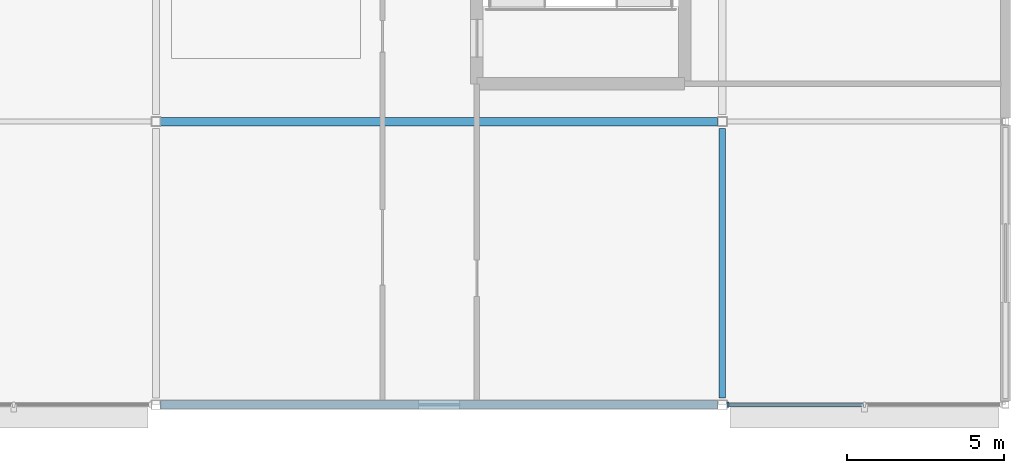
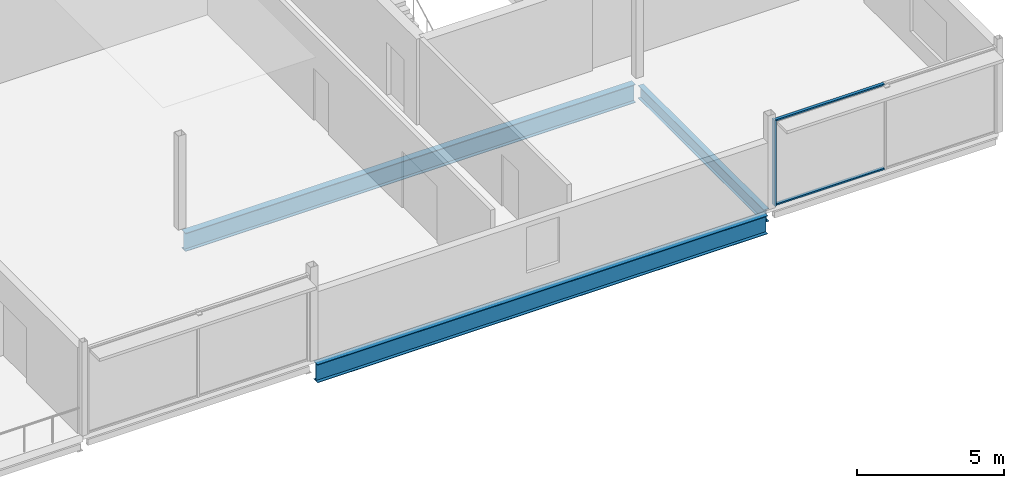
# One storey, part 21 of 55: 3 beams, 3 members, 1 element without a shape of its own.
"""IFC4 building model written with IfcOpenShell, lengths in metres."""

from ifc_helpers import new_model, si_unit, direction, frame, origin, origin_2d, place, context, subcontext, project, spatial, rectangle, i_section, extrude, material, layer, layer_set, material_profile, profile_set, type_object, element, aggregate, save


model = new_model("IFC4")

# Units and contexts
model_context = context("Model", 3, precision=1e-05, world=origin(), true_north=direction((0.0, 1.0)))
body_context = subcontext(model_context, "Body", "Model", "MODEL_VIEW")
ifc_project = project(units=[si_unit("LENGTHUNIT", "METRE"), si_unit("AREAUNIT", "SQUARE_METRE"), si_unit("VOLUMEUNIT", "CUBIC_METRE"), si_unit("PLANEANGLEUNIT", "RADIAN"), si_unit("MASSUNIT", "GRAM", prefix="KILO")], contexts=[model_context])

# Site, building, storey
site_placement = place(None, origin())
site = spatial("IfcSite", under=ifc_project, at=site_placement, CompositionType="ELEMENT")
building_placement = place(site_placement, origin())
building = spatial("IfcBuilding", under=site, at=building_placement, Name="Kisiwana Market Hall", CompositionType="ELEMENT")
storey_placement = place(building_placement, frame((0.0, 0.0, 37.800048828125)))
storey = spatial("IfcBuildingStorey", under=building, at=storey_placement, Name="L08", CompositionType="ELEMENT", Elevation=37.800048828125)

# Beams
ifc_material_1 = material(Name="Steel S355", Category="steel")
ifc_material_profile_1 = material_profile(ifc_material_1, i_section(OverallWidth=0.209228515625, OverallDepth=0.533203125, WebThickness=0.010009765625, FlangeThickness=0.015625, at=origin_2d()), Name="UB 533x210x92")
ifc_profile_set_1 = profile_set([ifc_material_profile_1], Name="Steel S355")
beam_type_1 = type_object("IfcBeamType", Name="BM-GIRD-UB533", PredefinedType="BEAM", material=ifc_profile_set_1)
beam_placement = place(storey_placement, frame((189.0, 9.220947265625, -0.51171875), z_axis=(0.0, 1.0, 0.0), x_axis=(-1.0, 0.0, 0.0)))
element("IfcBeam", 1, at=beam_placement, inside=storey, type_object=beam_type_1, Name="Primary girder B-2104", PredefinedType="BEAM", context=body_context, shape_type="SweptSolid", body=[
    extrude(i_section(OverallWidth=0.209228515625, OverallDepth=0.533203125, WebThickness=0.010009765625, FlangeThickness=0.015625, at=origin_2d()), origin(), (0.0, 0.0, 1.0), 8.55810546875),
])
ifc_material_2 = material(Name="Steel S355", Category="steel")
ifc_material_profile_2 = material_profile(ifc_material_2, i_section(OverallWidth=0.2666015625, OverallDepth=0.76220703125, WebThickness=0.014404296875, FlangeThickness=0.021484375, at=origin_2d()), Name="UB 762x267x173")
ifc_profile_set_2 = profile_set([ifc_material_profile_2], Name="Steel S355")
beam_type_2 = type_object("IfcBeamType", Name="BM-GIRD-UB762", PredefinedType="BEAM", material=ifc_profile_set_2)
for number, where, z_axis, x_axis, name in (
    (2, (171.14599609375, 9.0, -0.626220703125), (1.0, 0.0, 0.0), (0.0, 1.0, 0.0), "Floor beam B-2148"),
    (3, (171.14599609375, 18.0, -0.626220703125), (1.0, 0.0, 0.0), (0.0, 1.0, 0.0), "Floor beam B-2156"),
):
    element("IfcBeam", number, at=place(storey_placement, frame(where, z_axis=z_axis, x_axis=x_axis)), inside=storey, type_object=beam_type_2, Name=name, PredefinedType="BEAM", context=body_context, shape_type="SweptSolid", body=[
        extrude(i_section(OverallWidth=0.2666015625, OverallDepth=0.76220703125, WebThickness=0.014404296875, FlangeThickness=0.021484375, at=origin_2d()), origin(), (0.0, 0.0, 1.0), 17.7080078125),
    ])

# Curtain wall, members
ifc_material_3 = material(Name="Double-glazed solar-control low-E IGU", Category="glass")
ifc_layer = layer(ifc_material_3, 0.159912109375)
ifc_layer_set = layer_set([ifc_layer], Name="CW-ZNB-EW-8000")
curtain_wall_type = type_object("IfcCurtainWallType", Name="CW-ZNB-EW-8000", PredefinedType="USERDEFINED", material=ifc_layer_set)
curtain_wall_placement = place(storey_placement, origin())
curtain_wall = element("IfcCurtainWall", 4, at=curtain_wall_placement, inside=storey, type_object=curtain_wall_type, Name="Unitised curtain wall CW-239 (L08)", ObjectType="UNITISED CURTAIN WALL", PredefinedType="USERDEFINED")
ifc_material_4 = material(Name="Aluminium alloy 6063-T6", Category="aluminium")
ifc_material_profile_3 = material_profile(ifc_material_4, rectangle(XDim=0.070068359375, YDim=0.179931640625, at=origin_2d()), Name="ALU MULLION 70x180")
ifc_profile_set_3 = profile_set([ifc_material_profile_3], Name="Aluminium alloy 6063-T6")
member_type_1 = type_object("IfcMemberType", Name="CW-MULL-70x180", PredefinedType="MULLION", material=ifc_profile_set_3)
member_1_placement = place(storey_placement, frame((189.18505859375, 9.0, 0.0), z_axis=(0.0, 0.0, 1.0), x_axis=(1.0, 0.0, 0.0)))
member_1 = element("IfcMember", 5, at=member_1_placement, type_object=member_type_1, Name="CW-239 mullion 1", PredefinedType="MULLION", context=body_context, shape_type="SweptSolid", body=[
    extrude(rectangle(XDim=0.070068359375, YDim=0.179931640625, at=origin_2d()), origin(), (0.0, 0.0, 1.0), 3.56494140625),
])
ifc_material_5 = material(Name="Aluminium alloy 6063-T6", Category="aluminium")
ifc_material_profile_4 = material_profile(ifc_material_5, rectangle(XDim=0.1201171875, YDim=0.06005859375, at=origin_2d()), Name="ALU TRANSOM 60x120")
ifc_profile_set_4 = profile_set([ifc_material_profile_4], Name="Aluminium alloy 6063-T6")
member_type_2 = type_object("IfcMemberType", Name="CW-TRAN-60x120", PredefinedType="USERDEFINED", material=ifc_profile_set_4)
member_2_placement = place(storey_placement, frame((189.219970703125, 9.0, 0.030029296875), z_axis=(1.0, 0.0, 0.0), x_axis=(0.0, 1.0, 0.0)))
member_2 = element("IfcMember", 6, at=member_2_placement, type_object=member_type_2, Name="CW-239 transom 1.1", ObjectType="TRANSOM", PredefinedType="USERDEFINED", context=body_context, shape_type="SweptSolid", body=[
    extrude(rectangle(XDim=0.1201171875, YDim=0.06005859375, at=origin_2d()), origin(), (0.0, 0.0, 1.0), 4.26513671875),
])
member_3_placement = place(storey_placement, frame((189.219970703125, 9.0, 3.534912109375), z_axis=(1.0, 0.0, 0.0), x_axis=(0.0, 1.0, 0.0)))
member_3 = element("IfcMember", 7, at=member_3_placement, type_object=member_type_2, Name="CW-239 transom 1.2", ObjectType="TRANSOM", PredefinedType="USERDEFINED", context=body_context, shape_type="SweptSolid", body=[
    extrude(rectangle(XDim=0.1201171875, YDim=0.06005859375, at=origin_2d()), origin(), (0.0, 0.0, 1.0), 4.26513671875),
])
aggregate(curtain_wall, [member_1, member_2, member_3])

save(model, "model.ifc")
